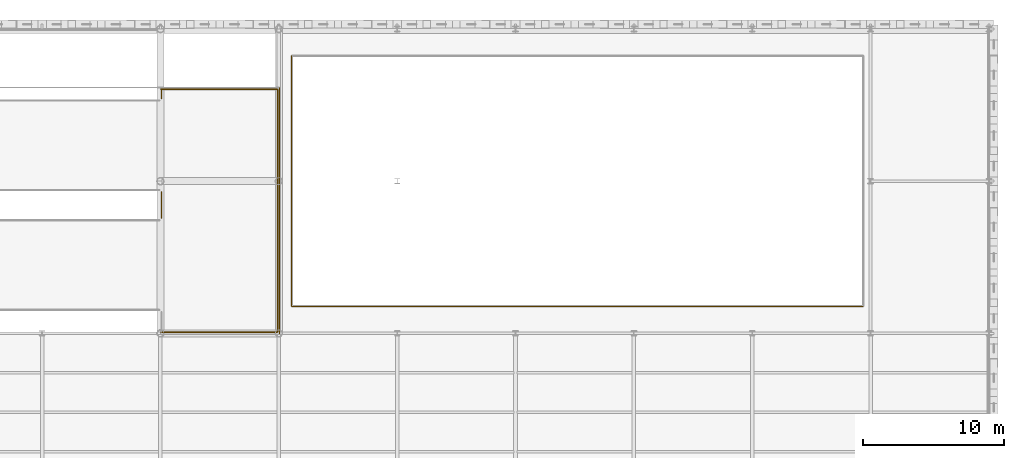
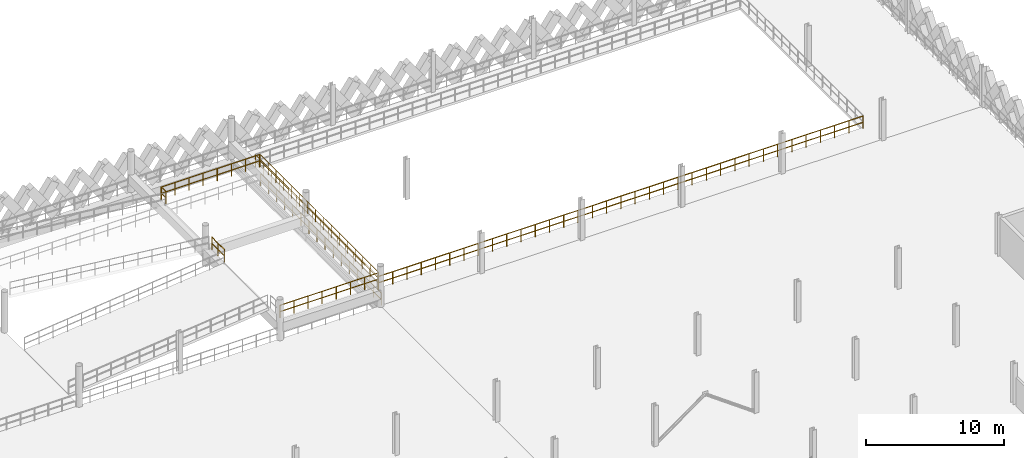
# One storey, part 59 of 62: 8 railings.
"""IFC4 building model written with IfcOpenShell, lengths in metres."""

from ifc_helpers import new_model, si_unit, direction, frame, origin, origin_2d, place, context, subcontext, project, spatial, circle, extrude, material, type_object, element, save


model = new_model("IFC4")

# Units and contexts
model_context = context("Model", 3, precision=1e-05, world=origin(), true_north=direction((0.0, 1.0)))
body_context = subcontext(model_context, "Body", "Model", "MODEL_VIEW")
ifc_project = project(units=[si_unit("LENGTHUNIT", "METRE"), si_unit("AREAUNIT", "SQUARE_METRE"), si_unit("VOLUMEUNIT", "CUBIC_METRE"), si_unit("PLANEANGLEUNIT", "RADIAN"), si_unit("MASSUNIT", "GRAM", prefix="KILO"), si_unit("THERMODYNAMICTEMPERATUREUNIT", "KELVIN"), si_unit("POWERUNIT", "WATT")], contexts=[model_context])

# Site, building, storey
site_placement = place(None, origin())
site = spatial("IfcSite", under=ifc_project, at=site_placement, CompositionType="ELEMENT")
building_placement = place(site_placement, origin())
building = spatial("IfcBuilding", under=site, at=building_placement, Name="Tembeka Court Mobility Hub", CompositionType="ELEMENT")
storey_placement = place(building_placement, frame((0.0, 0.0, 16.199951171875)))
storey = spatial("IfcBuildingStorey", under=building, at=storey_placement, Name="L04", CompositionType="ELEMENT", Elevation=16.199951171875)

# Railings
ifc_material = material(Name="Painted galvanised steel balustrade", Category="steel")
railing_type_1 = type_object("IfcRailingType", Name="RL-GR01", PredefinedType="GUARDRAIL", material=ifc_material)
railing_1_placement = place(storey_placement, frame((42.929931640625, 99.10009765625, 0.0)))
element("IfcRailing", 1, at=railing_1_placement, inside=storey, type_object=railing_type_1, Name="Perimeter guard GR01-0143", PredefinedType="GUARDRAIL", context=body_context, shape_type="SweptSolid", body=[
    extrude(circle(Radius=0.02392578125, at=origin_2d()), frame((0.0, 0.0, 1.09619140625), z_axis=(1.0, 0.0, 0.0), x_axis=(0.0, 1.0, 0.0)), (0.0, 0.0, 1.0), 40.5400390625),
    extrude(circle(Radius=0.02392578125, at=origin_2d()), frame((0.0, 0.0, 0.5361328125), z_axis=(1.0, 0.0, 0.0), x_axis=(0.0, 1.0, 0.0)), (0.0, 0.0, 1.0), 40.5400390625),
    extrude(circle(Radius=0.02099609375, at=origin_2d()), origin(), (0.0, 0.0, 1.0), 1.072021484375),
    extrude(circle(Radius=0.02099609375, at=origin_2d()), frame((1.1923828125, 0.0, 0.0)), (0.0, 0.0, 1.0), 1.072021484375),
    extrude(circle(Radius=0.02099609375, at=origin_2d()), frame((2.384765625, 0.0, 0.0)), (0.0, 0.0, 1.0), 1.072021484375),
    extrude(circle(Radius=0.02099609375, at=origin_2d()), frame((3.5771484375, 0.0, 0.0)), (0.0, 0.0, 1.0), 1.072021484375),
    extrude(circle(Radius=0.02099609375, at=origin_2d()), frame((4.76953125, 0.0, 0.0)), (0.0, 0.0, 1.0), 1.072021484375),
    extrude(circle(Radius=0.02099609375, at=origin_2d()), frame((5.961669921875, 0.0, 0.0)), (0.0, 0.0, 1.0), 1.072021484375),
    extrude(circle(Radius=0.02099609375, at=origin_2d()), frame((7.154052734375, 0.0, 0.0)), (0.0, 0.0, 1.0), 1.072021484375),
    extrude(circle(Radius=0.02099609375, at=origin_2d()), frame((8.346435546875, 0.0, 0.0)), (0.0, 0.0, 1.0), 1.072021484375),
    extrude(circle(Radius=0.02099609375, at=origin_2d()), frame((9.538818359375, 0.0, 0.0)), (0.0, 0.0, 1.0), 1.072021484375),
    extrude(circle(Radius=0.02099609375, at=origin_2d()), frame((10.731201171875, 0.0, 0.0)), (0.0, 0.0, 1.0), 1.072021484375),
    extrude(circle(Radius=0.02099609375, at=origin_2d()), frame((11.923583984375, 0.0, 0.0)), (0.0, 0.0, 1.0), 1.072021484375),
    extrude(circle(Radius=0.02099609375, at=origin_2d()), frame((13.115966796875, 0.0, 0.0)), (0.0, 0.0, 1.0), 1.072021484375),
    extrude(circle(Radius=0.02099609375, at=origin_2d()), frame((14.308349609375, 0.0, 0.0)), (0.0, 0.0, 1.0), 1.072021484375),
    extrude(circle(Radius=0.02099609375, at=origin_2d()), frame((15.50048828125, 0.0, 0.0)), (0.0, 0.0, 1.0), 1.072021484375),
    extrude(circle(Radius=0.02099609375, at=origin_2d()), frame((16.69287109375, 0.0, 0.0)), (0.0, 0.0, 1.0), 1.072021484375),
    extrude(circle(Radius=0.02099609375, at=origin_2d()), frame((17.88525390625, 0.0, 0.0)), (0.0, 0.0, 1.0), 1.072021484375),
    extrude(circle(Radius=0.02099609375, at=origin_2d()), frame((19.07763671875, 0.0, 0.0)), (0.0, 0.0, 1.0), 1.072021484375),
    extrude(circle(Radius=0.02099609375, at=origin_2d()), frame((20.27001953125, 0.0, 0.0)), (0.0, 0.0, 1.0), 1.072021484375),
    extrude(circle(Radius=0.02099609375, at=origin_2d()), frame((21.46240234375, 0.0, 0.0)), (0.0, 0.0, 1.0), 1.072021484375),
    extrude(circle(Radius=0.02099609375, at=origin_2d()), frame((22.65478515625, 0.0, 0.0)), (0.0, 0.0, 1.0), 1.072021484375),
    extrude(circle(Radius=0.02099609375, at=origin_2d()), frame((23.84716796875, 0.0, 0.0)), (0.0, 0.0, 1.0), 1.072021484375),
    extrude(circle(Radius=0.02099609375, at=origin_2d()), frame((25.03955078125, 0.0, 0.0)), (0.0, 0.0, 1.0), 1.072021484375),
    extrude(circle(Radius=0.02099609375, at=origin_2d()), frame((26.231689453125, 0.0, 0.0)), (0.0, 0.0, 1.0), 1.072021484375),
    extrude(circle(Radius=0.02099609375, at=origin_2d()), frame((27.424072265625, 0.0, 0.0)), (0.0, 0.0, 1.0), 1.072021484375),
    extrude(circle(Radius=0.02099609375, at=origin_2d()), frame((28.616455078125, 0.0, 0.0)), (0.0, 0.0, 1.0), 1.072021484375),
    extrude(circle(Radius=0.02099609375, at=origin_2d()), frame((29.808837890625, 0.0, 0.0)), (0.0, 0.0, 1.0), 1.072021484375),
    extrude(circle(Radius=0.02099609375, at=origin_2d()), frame((31.001220703125, 0.0, 0.0)), (0.0, 0.0, 1.0), 1.072021484375),
    extrude(circle(Radius=0.02099609375, at=origin_2d()), frame((32.193603515625, 0.0, 0.0)), (0.0, 0.0, 1.0), 1.072021484375),
    extrude(circle(Radius=0.02099609375, at=origin_2d()), frame((33.385986328125, 0.0, 0.0)), (0.0, 0.0, 1.0), 1.072021484375),
    extrude(circle(Radius=0.02099609375, at=origin_2d()), frame((34.578369140625, 0.0, 0.0)), (0.0, 0.0, 1.0), 1.072021484375),
    extrude(circle(Radius=0.02099609375, at=origin_2d()), frame((35.7705078125, 0.0, 0.0)), (0.0, 0.0, 1.0), 1.072021484375),
    extrude(circle(Radius=0.02099609375, at=origin_2d()), frame((36.962890625, 0.0, 0.0)), (0.0, 0.0, 1.0), 1.072021484375),
    extrude(circle(Radius=0.02099609375, at=origin_2d()), frame((38.1552734375, 0.0, 0.0)), (0.0, 0.0, 1.0), 1.072021484375),
    extrude(circle(Radius=0.02099609375, at=origin_2d()), frame((39.34765625, 0.0, 0.0)), (0.0, 0.0, 1.0), 1.072021484375),
    extrude(circle(Radius=0.02099609375, at=origin_2d()), frame((40.5400390625, 0.0, 0.0)), (0.0, 0.0, 1.0), 1.072021484375),
])
railing_2_placement = place(storey_placement, frame((42.89990234375, 116.8701171875, 0.0)))
element("IfcRailing", 2, at=railing_2_placement, inside=storey, type_object=railing_type_1, Name="Perimeter guard GR01-0146", PredefinedType="GUARDRAIL", context=body_context, shape_type="SweptSolid", body=[
    extrude(circle(Radius=0.02392578125, at=origin_2d()), frame((0.0, 0.0, 1.09619140625), z_axis=(0.0, -1.0, 0.0), x_axis=(1.0, 0.0, 0.0)), (0.0, 0.0, 1.0), 17.740234375),
    extrude(circle(Radius=0.02392578125, at=origin_2d()), frame((0.0, 0.0, 0.5361328125), z_axis=(0.0, -1.0, 0.0), x_axis=(1.0, 0.0, 0.0)), (0.0, 0.0, 1.0), 17.740234375),
    extrude(circle(Radius=0.02099609375, at=origin_2d()), origin(), (0.0, 0.0, 1.0), 1.072021484375),
    extrude(circle(Radius=0.02099609375, at=origin_2d()), frame((0.0, -1.1826171875, 0.0)), (0.0, 0.0, 1.0), 1.072021484375),
    extrude(circle(Radius=0.02099609375, at=origin_2d()), frame((0.0, -2.365478515625, 0.0)), (0.0, 0.0, 1.0), 1.072021484375),
    extrude(circle(Radius=0.02099609375, at=origin_2d()), frame((0.0, -3.548095703125, 0.0)), (0.0, 0.0, 1.0), 1.072021484375),
    extrude(circle(Radius=0.02099609375, at=origin_2d()), frame((0.0, -4.730712890625, 0.0)), (0.0, 0.0, 1.0), 1.072021484375),
    extrude(circle(Radius=0.02099609375, at=origin_2d()), frame((0.0, -5.913330078125, 0.0)), (0.0, 0.0, 1.0), 1.072021484375),
    extrude(circle(Radius=0.02099609375, at=origin_2d()), frame((0.0, -7.09619140625, 0.0)), (0.0, 0.0, 1.0), 1.072021484375),
    extrude(circle(Radius=0.02099609375, at=origin_2d()), frame((0.0, -8.27880859375, 0.0)), (0.0, 0.0, 1.0), 1.072021484375),
    extrude(circle(Radius=0.02099609375, at=origin_2d()), frame((0.0, -9.46142578125, 0.0)), (0.0, 0.0, 1.0), 1.072021484375),
    extrude(circle(Radius=0.02099609375, at=origin_2d()), frame((0.0, -10.64404296875, 0.0)), (0.0, 0.0, 1.0), 1.072021484375),
    extrude(circle(Radius=0.02099609375, at=origin_2d()), frame((0.0, -11.826904296875, 0.0)), (0.0, 0.0, 1.0), 1.072021484375),
    extrude(circle(Radius=0.02099609375, at=origin_2d()), frame((0.0, -13.009521484375, 0.0)), (0.0, 0.0, 1.0), 1.072021484375),
    extrude(circle(Radius=0.02099609375, at=origin_2d()), frame((0.0, -14.192138671875, 0.0)), (0.0, 0.0, 1.0), 1.072021484375),
    extrude(circle(Radius=0.02099609375, at=origin_2d()), frame((0.0, -15.374755859375, 0.0)), (0.0, 0.0, 1.0), 1.072021484375),
    extrude(circle(Radius=0.02099609375, at=origin_2d()), frame((0.0, -16.5576171875, 0.0)), (0.0, 0.0, 1.0), 1.072021484375),
    extrude(circle(Radius=0.02099609375, at=origin_2d()), frame((0.0, -17.740234375, 0.0)), (0.0, 0.0, 1.0), 1.072021484375),
])
railing_type_2 = type_object("IfcRailingType", Name="RL-GR02", PredefinedType="GUARDRAIL", material=ifc_material)
railing_3_placement = place(storey_placement, frame((42.050048828125, 97.179931640625, 0.0)))
element("IfcRailing", 3, at=railing_3_placement, inside=storey, type_object=railing_type_2, Name="Perimeter guard GR02-0198", PredefinedType="GUARDRAIL", context=body_context, shape_type="SweptSolid", body=[
    extrude(circle(Radius=0.02392578125, at=origin_2d()), frame((0.0, 0.0, 1.09619140625), z_axis=(0.0, 1.0, 0.0), x_axis=(-1.0, 0.0, 0.0)), (0.0, 0.0, 1.0), 17.440185546875),
    extrude(circle(Radius=0.02392578125, at=origin_2d()), frame((0.0, 0.0, 0.5361328125), z_axis=(0.0, 1.0, 0.0), x_axis=(-1.0, 0.0, 0.0)), (0.0, 0.0, 1.0), 17.440185546875),
    extrude(circle(Radius=0.02099609375, at=origin_2d()), origin(), (0.0, 0.0, 1.0), 1.072021484375),
    extrude(circle(Radius=0.02099609375, at=origin_2d()), frame((0.0, 1.16259765625, 0.0)), (0.0, 0.0, 1.0), 1.072021484375),
    extrude(circle(Radius=0.02099609375, at=origin_2d()), frame((0.0, 2.325439453125, 0.0)), (0.0, 0.0, 1.0), 1.072021484375),
    extrude(circle(Radius=0.02099609375, at=origin_2d()), frame((0.0, 3.488037109375, 0.0)), (0.0, 0.0, 1.0), 1.072021484375),
    extrude(circle(Radius=0.02099609375, at=origin_2d()), frame((0.0, 4.650634765625, 0.0)), (0.0, 0.0, 1.0), 1.072021484375),
    extrude(circle(Radius=0.02099609375, at=origin_2d()), frame((0.0, 5.8134765625, 0.0)), (0.0, 0.0, 1.0), 1.072021484375),
    extrude(circle(Radius=0.02099609375, at=origin_2d()), frame((0.0, 6.97607421875, 0.0)), (0.0, 0.0, 1.0), 1.072021484375),
    extrude(circle(Radius=0.02099609375, at=origin_2d()), frame((0.0, 8.138671875, 0.0)), (0.0, 0.0, 1.0), 1.072021484375),
    extrude(circle(Radius=0.02099609375, at=origin_2d()), frame((0.0, 9.301513671875, 0.0)), (0.0, 0.0, 1.0), 1.072021484375),
    extrude(circle(Radius=0.02099609375, at=origin_2d()), frame((0.0, 10.464111328125, 0.0)), (0.0, 0.0, 1.0), 1.072021484375),
    extrude(circle(Radius=0.02099609375, at=origin_2d()), frame((0.0, 11.626708984375, 0.0)), (0.0, 0.0, 1.0), 1.072021484375),
    extrude(circle(Radius=0.02099609375, at=origin_2d()), frame((0.0, 12.78955078125, 0.0)), (0.0, 0.0, 1.0), 1.072021484375),
    extrude(circle(Radius=0.02099609375, at=origin_2d()), frame((0.0, 13.9521484375, 0.0)), (0.0, 0.0, 1.0), 1.072021484375),
    extrude(circle(Radius=0.02099609375, at=origin_2d()), frame((0.0, 15.11474609375, 0.0)), (0.0, 0.0, 1.0), 1.072021484375),
    extrude(circle(Radius=0.02099609375, at=origin_2d()), frame((0.0, 16.277587890625, 0.0)), (0.0, 0.0, 1.0), 1.072021484375),
    extrude(circle(Radius=0.02099609375, at=origin_2d()), frame((0.0, 17.440185546875, 0.0)), (0.0, 0.0, 1.0), 1.072021484375),
])
railing_4_placement = place(storey_placement, frame((33.6298828125, 97.280029296875, 1.800048828125)))
element("IfcRailing", 4, at=railing_4_placement, inside=storey, type_object=railing_type_2, Name="Perimeter guard GR02-0256", PredefinedType="GUARDRAIL", context=body_context, shape_type="SweptSolid", body=[
    extrude(circle(Radius=0.02392578125, at=origin_2d()), frame((0.0, 0.0, 1.09619140625), z_axis=(1.0, 0.0, 0.0), x_axis=(0.0, 1.0, 0.0)), (0.0, 0.0, 1.0), 8.260009765625),
    extrude(circle(Radius=0.02392578125, at=origin_2d()), frame((0.0, 0.0, 0.5361328125), z_axis=(1.0, 0.0, 0.0), x_axis=(0.0, 1.0, 0.0)), (0.0, 0.0, 1.0), 8.260009765625),
    extrude(circle(Radius=0.02099609375, at=origin_2d()), origin(), (0.0, 0.0, 1.0), 1.072021484375),
    extrude(circle(Radius=0.02099609375, at=origin_2d()), frame((1.179931640625, 0.0, 0.0)), (0.0, 0.0, 1.0), 1.072021484375),
    extrude(circle(Radius=0.02099609375, at=origin_2d()), frame((2.360107421875, 0.0, 0.0)), (0.0, 0.0, 1.0), 1.072021484375),
    extrude(circle(Radius=0.02099609375, at=origin_2d()), frame((3.5400390625, 0.0, 0.0)), (0.0, 0.0, 1.0), 1.072021484375),
    extrude(circle(Radius=0.02099609375, at=origin_2d()), frame((4.719970703125, 0.0, 0.0)), (0.0, 0.0, 1.0), 1.072021484375),
    extrude(circle(Radius=0.02099609375, at=origin_2d()), frame((5.89990234375, 0.0, 0.0)), (0.0, 0.0, 1.0), 1.072021484375),
    extrude(circle(Radius=0.02099609375, at=origin_2d()), frame((7.080078125, 0.0, 0.0)), (0.0, 0.0, 1.0), 1.072021484375),
    extrude(circle(Radius=0.02099609375, at=origin_2d()), frame((8.260009765625, 0.0, 0.0)), (0.0, 0.0, 1.0), 1.072021484375),
])
railing_5_placement = place(storey_placement, frame((41.919921875, 97.31005859375, 1.800048828125)))
element("IfcRailing", 5, at=railing_5_placement, inside=storey, type_object=railing_type_2, Name="Perimeter guard GR02-0257", PredefinedType="GUARDRAIL", context=body_context, shape_type="SweptSolid", body=[
    extrude(circle(Radius=0.02392578125, at=origin_2d()), frame((0.0, 0.0, 1.09619140625), z_axis=(0.0, 1.0, 0.0), x_axis=(-1.0, 0.0, 0.0)), (0.0, 0.0, 1.0), 17.179931640625),
    extrude(circle(Radius=0.02392578125, at=origin_2d()), frame((0.0, 0.0, 0.5361328125), z_axis=(0.0, 1.0, 0.0), x_axis=(-1.0, 0.0, 0.0)), (0.0, 0.0, 1.0), 17.179931640625),
    extrude(circle(Radius=0.02099609375, at=origin_2d()), origin(), (0.0, 0.0, 1.0), 1.072021484375),
    extrude(circle(Radius=0.02099609375, at=origin_2d()), frame((0.0, 1.145263671875, 0.0)), (0.0, 0.0, 1.0), 1.072021484375),
    extrude(circle(Radius=0.02099609375, at=origin_2d()), frame((0.0, 2.290771484375, 0.0)), (0.0, 0.0, 1.0), 1.072021484375),
    extrude(circle(Radius=0.02099609375, at=origin_2d()), frame((0.0, 3.43603515625, 0.0)), (0.0, 0.0, 1.0), 1.072021484375),
    extrude(circle(Radius=0.02099609375, at=origin_2d()), frame((0.0, 4.581298828125, 0.0)), (0.0, 0.0, 1.0), 1.072021484375),
    extrude(circle(Radius=0.02099609375, at=origin_2d()), frame((0.0, 5.7265625, 0.0)), (0.0, 0.0, 1.0), 1.072021484375),
    extrude(circle(Radius=0.02099609375, at=origin_2d()), frame((0.0, 6.8720703125, 0.0)), (0.0, 0.0, 1.0), 1.072021484375),
    extrude(circle(Radius=0.02099609375, at=origin_2d()), frame((0.0, 8.017333984375, 0.0)), (0.0, 0.0, 1.0), 1.072021484375),
    extrude(circle(Radius=0.02099609375, at=origin_2d()), frame((0.0, 9.16259765625, 0.0)), (0.0, 0.0, 1.0), 1.072021484375),
    extrude(circle(Radius=0.02099609375, at=origin_2d()), frame((0.0, 10.307861328125, 0.0)), (0.0, 0.0, 1.0), 1.072021484375),
    extrude(circle(Radius=0.02099609375, at=origin_2d()), frame((0.0, 11.453369140625, 0.0)), (0.0, 0.0, 1.0), 1.072021484375),
    extrude(circle(Radius=0.02099609375, at=origin_2d()), frame((0.0, 12.5986328125, 0.0)), (0.0, 0.0, 1.0), 1.072021484375),
    extrude(circle(Radius=0.02099609375, at=origin_2d()), frame((0.0, 13.743896484375, 0.0)), (0.0, 0.0, 1.0), 1.072021484375),
    extrude(circle(Radius=0.02099609375, at=origin_2d()), frame((0.0, 14.88916015625, 0.0)), (0.0, 0.0, 1.0), 1.072021484375),
    extrude(circle(Radius=0.02099609375, at=origin_2d()), frame((0.0, 16.03466796875, 0.0)), (0.0, 0.0, 1.0), 1.072021484375),
    extrude(circle(Radius=0.02099609375, at=origin_2d()), frame((0.0, 17.179931640625, 0.0)), (0.0, 0.0, 1.0), 1.072021484375),
])
railing_6_placement = place(storey_placement, frame((41.889892578125, 114.52001953125, 1.800048828125)))
element("IfcRailing", 6, at=railing_6_placement, inside=storey, type_object=railing_type_2, Name="Perimeter guard GR02-0258", PredefinedType="GUARDRAIL", context=body_context, shape_type="SweptSolid", body=[
    extrude(circle(Radius=0.02392578125, at=origin_2d()), frame((0.0, 0.0, 1.09619140625), z_axis=(-1.0, 0.0, 0.0), x_axis=(0.0, -1.0, 0.0)), (0.0, 0.0, 1.0), 8.260009765625),
    extrude(circle(Radius=0.02392578125, at=origin_2d()), frame((0.0, 0.0, 0.5361328125), z_axis=(-1.0, 0.0, 0.0), x_axis=(0.0, -1.0, 0.0)), (0.0, 0.0, 1.0), 8.260009765625),
    extrude(circle(Radius=0.02099609375, at=origin_2d()), origin(), (0.0, 0.0, 1.0), 1.072021484375),
    extrude(circle(Radius=0.02099609375, at=origin_2d()), frame((-1.179931640625, 0.0, 0.0)), (0.0, 0.0, 1.0), 1.072021484375),
    extrude(circle(Radius=0.02099609375, at=origin_2d()), frame((-2.360107421875, 0.0, 0.0)), (0.0, 0.0, 1.0), 1.072021484375),
    extrude(circle(Radius=0.02099609375, at=origin_2d()), frame((-3.5400390625, 0.0, 0.0)), (0.0, 0.0, 1.0), 1.072021484375),
    extrude(circle(Radius=0.02099609375, at=origin_2d()), frame((-4.719970703125, 0.0, 0.0)), (0.0, 0.0, 1.0), 1.072021484375),
    extrude(circle(Radius=0.02099609375, at=origin_2d()), frame((-5.89990234375, 0.0, 0.0)), (0.0, 0.0, 1.0), 1.072021484375),
    extrude(circle(Radius=0.02099609375, at=origin_2d()), frame((-7.080078125, 0.0, 0.0)), (0.0, 0.0, 1.0), 1.072021484375),
    extrude(circle(Radius=0.02099609375, at=origin_2d()), frame((-8.260009765625, 0.0, 0.0)), (0.0, 0.0, 1.0), 1.072021484375),
])
railing_7_placement = place(storey_placement, frame((33.679931640625, 105.3798828125, 1.800048828125)))
element("IfcRailing", 7, at=railing_7_placement, inside=storey, type_object=railing_type_2, Name="Perimeter guard GR02-0260", PredefinedType="GUARDRAIL", context=body_context, shape_type="SweptSolid", body=[
    extrude(circle(Radius=0.02392578125, at=origin_2d()), frame((0.0, 0.0, 1.09619140625), z_axis=(0.0, 1.0, 0.0), x_axis=(-1.0, 0.0, 0.0)), (0.0, 0.0, 1.0), 1.840087890625),
    extrude(circle(Radius=0.02392578125, at=origin_2d()), frame((0.0, 0.0, 0.5361328125), z_axis=(0.0, 1.0, 0.0), x_axis=(-1.0, 0.0, 0.0)), (0.0, 0.0, 1.0), 1.840087890625),
    extrude(circle(Radius=0.02099609375, at=origin_2d()), origin(), (0.0, 0.0, 1.0), 1.072021484375),
    extrude(circle(Radius=0.02099609375, at=origin_2d()), frame((0.0, 0.919921875, 0.0)), (0.0, 0.0, 1.0), 1.072021484375),
    extrude(circle(Radius=0.02099609375, at=origin_2d()), frame((0.0, 1.840087890625, 0.0)), (0.0, 0.0, 1.0), 1.072021484375),
])
railing_8_placement = place(storey_placement, frame((33.679931640625, 113.8798828125, 1.800048828125)))
element("IfcRailing", 8, at=railing_8_placement, inside=storey, type_object=railing_type_2, Name="Perimeter guard GR02-0261", PredefinedType="GUARDRAIL", context=body_context, shape_type="SweptSolid", body=[
    extrude(circle(Radius=0.02392578125, at=origin_2d()), frame((0.0, 0.0, 1.09619140625), z_axis=(0.0, 1.0, 0.0), x_axis=(-1.0, 0.0, 0.0)), (0.0, 0.0, 1.0), 0.610107421875),
    extrude(circle(Radius=0.02392578125, at=origin_2d()), frame((0.0, 0.0, 0.5361328125), z_axis=(0.0, 1.0, 0.0), x_axis=(-1.0, 0.0, 0.0)), (0.0, 0.0, 1.0), 0.610107421875),
    extrude(circle(Radius=0.02099609375, at=origin_2d()), origin(), (0.0, 0.0, 1.0), 1.072021484375),
    extrude(circle(Radius=0.02099609375, at=origin_2d()), frame((0.0, 0.610107421875, 0.0)), (0.0, 0.0, 1.0), 1.072021484375),
])

save(model, "model.ifc")
